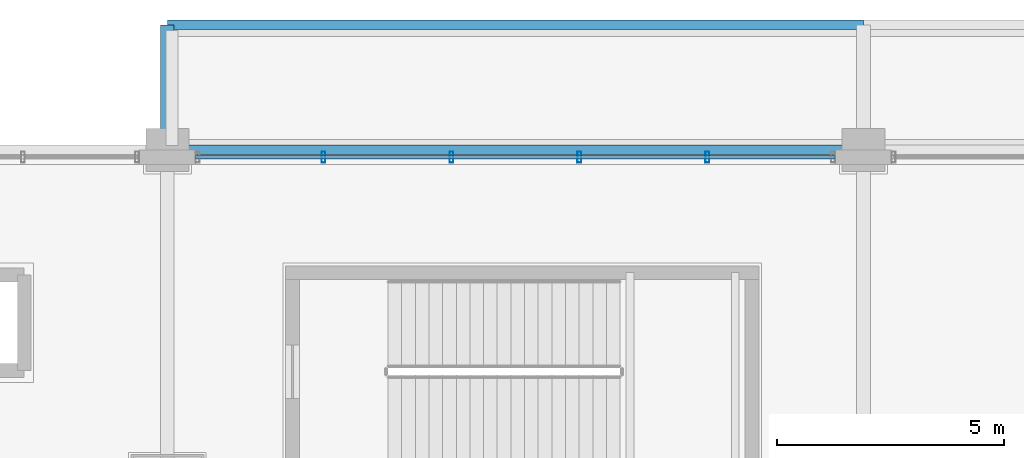
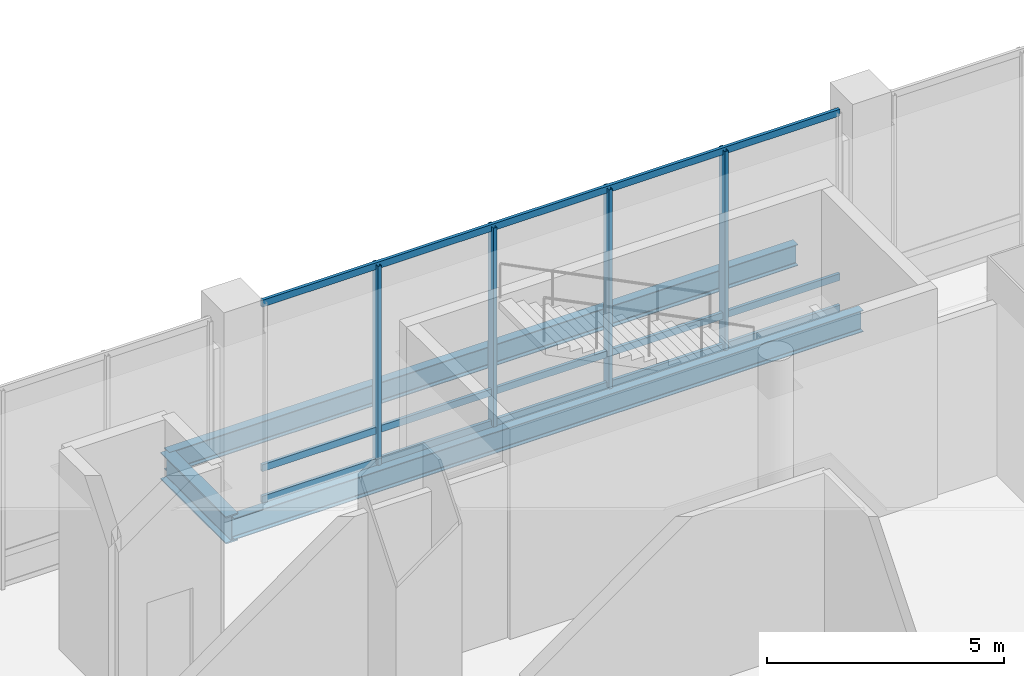
# One storey, part 16 of 43: 7 members, 3 beams, 1 element without a shape of its own.
"""IFC4 building model written with IfcOpenShell, lengths in metres."""

from ifc_helpers import new_model, si_unit, direction, frame, origin, origin_2d, place, context, subcontext, project, spatial, hollow_rectangle, i_section, extrude, material, material_profile, profile_set, type_object, element, aggregate, save


model = new_model("IFC4")

# Units and contexts
model_context = context("Model", 3, precision=1e-05, world=origin(), true_north=direction((0.0, 1.0)))
body_context = subcontext(model_context, "Body", "Model", "MODEL_VIEW")
ifc_project = project(units=[si_unit("LENGTHUNIT", "METRE"), si_unit("AREAUNIT", "SQUARE_METRE"), si_unit("VOLUMEUNIT", "CUBIC_METRE"), si_unit("PLANEANGLEUNIT", "RADIAN"), si_unit("MASSUNIT", "GRAM", prefix="KILO")], contexts=[model_context])

# Site, building, storey
site_placement = place(None, origin())
site = spatial("IfcSite", under=ifc_project, at=site_placement, CompositionType="ELEMENT")
building_placement = place(site_placement, origin())
building = spatial("IfcBuilding", under=site, at=building_placement, Name="Punatoya Terracotta Tower", CompositionType="ELEMENT")
storey_placement = place(building_placement, frame((0.0, 0.0, 6.0)))
storey = spatial("IfcBuildingStorey", under=building, at=storey_placement, Name="L01", CompositionType="ELEMENT", Elevation=6.0)

# Beams
ifc_material_1 = material(Name="Steel S355", Category="steel")
ifc_material_profile_1 = material_profile(ifc_material_1, i_section(OverallWidth=0.300048828125, OverallDepth=0.699951171875, WebThickness=0.01708984375, FlangeThickness=0.031982421875, FilletRadius=0.01806640625, at=origin_2d()))
ifc_profile_set_1 = profile_set([ifc_material_profile_1], Name="Steel S355")
beam_type_1 = type_object("IfcBeamType", Name="BM-PRI-700", PredefinedType="BEAM", material=ifc_profile_set_1)
beam_placement = place(storey_placement, frame((-19.10009765625, 25.0, -0.60009765625), z_axis=(0.0, 1.0, 0.0), x_axis=(-1.0, 0.0, 0.0)))
element("IfcBeam", 1, at=beam_placement, inside=storey, type_object=beam_type_1, Name="BM-L01-CANN--19", PredefinedType="BEAM", context=body_context, shape_type="SweptSolid", body=[
    extrude(i_section(OverallWidth=0.300048828125, OverallDepth=0.699951171875, WebThickness=0.01708984375, FlangeThickness=0.031982421875, FilletRadius=0.01806640625, at=origin_2d()), origin(), (0.0, 0.0, 1.0), 2.75),
])
ifc_material_profile_2 = material_profile(ifc_material_1, i_section(OverallWidth=0.2099609375, OverallDepth=0.550048828125, WebThickness=0.010986328125, FlangeThickness=0.01708984375, FilletRadius=0.01806640625, at=origin_2d()))
ifc_profile_set_2 = profile_set([ifc_material_profile_2], Name="Steel S355")
beam_type_2 = type_object("IfcBeamType", Name="BM-SPN-550", PredefinedType="SPANDREL", material=ifc_profile_set_2)
for number, where, z_axis, x_axis, name in (
    (2, (-19.10009765625, 25.0, -0.554931640625), (1.0, 0.0, 0.0), (0.0, 1.0, 0.0), "BM-L01-MIDH-1"),
    (3, (-19.10009765625, 27.75, -0.52490234375), (1.0, 0.0, 0.0), (0.0, 1.0, 0.0), "BM-L01-CANFN-1"),
):
    element("IfcBeam", number, at=place(storey_placement, frame(where, z_axis=z_axis, x_axis=x_axis)), inside=storey, type_object=beam_type_2, Name=name, PredefinedType="SPANDREL", context=body_context, shape_type="SweptSolid", body=[
        extrude(i_section(OverallWidth=0.2099609375, OverallDepth=0.550048828125, WebThickness=0.010986328125, FlangeThickness=0.01708984375, FilletRadius=0.01806640625, at=origin_2d()), origin(), (0.0, 0.0, 1.0), 15.300048828125),
    ])

# Curtain wall, members
ifc_material_2 = material(Name="Aluminium 6063-T6 + Double Low-E Glass", Category="aluminium")
curtain_wall_type = type_object("IfcCurtainWallType", Name="CW-POD", PredefinedType="NOTDEFINED", material=ifc_material_2)
curtain_wall_placement = place(storey_placement, origin())
curtain_wall = element("IfcCurtainWall", 4, at=curtain_wall_placement, inside=storey, type_object=curtain_wall_type, Name="L01 Curtain Wall CWP-L01-N3", PredefinedType="NOTDEFINED")
ifc_material_3 = material(Name="Aluminium 6063-T6", Category="aluminium")
ifc_material_profile_3 = material_profile(ifc_material_3, hollow_rectangle(XDim=0.0849609375, YDim=0.239990234375, WallThickness=0.0048828125, at=origin_2d()))
ifc_profile_set_3 = profile_set([ifc_material_profile_3], Name="Aluminium 6063-T6")
member_type_1 = type_object("IfcMemberType", Name="CW-MUL-POD", PredefinedType="MULLION", material=ifc_profile_set_3)
member_1_placement = place(storey_placement, frame((-7.23193359375, 24.840087890625, 0.0), z_axis=(0.0, 0.0, 1.0), x_axis=(1.0, 0.0, 0.0)))
member_1 = element("IfcMember", 5, at=member_1_placement, type_object=member_type_1, Name="CWP-L01-N3 Mullion 01", PredefinedType="MULLION", context=body_context, shape_type="SweptSolid", body=[
    extrude(hollow_rectangle(XDim=0.0849609375, YDim=0.239990234375, WallThickness=0.0048828125, at=origin_2d()), origin(), (0.0, 0.0, 1.0), 5.1201171875),
])
member_2_placement = place(storey_placement, frame((-10.0439453125, 24.840087890625, 0.0), z_axis=(0.0, 0.0, 1.0), x_axis=(1.0, 0.0, 0.0)))
member_2 = element("IfcMember", 6, at=member_2_placement, type_object=member_type_1, Name="CWP-L01-N3 Mullion 02", PredefinedType="MULLION", context=body_context, shape_type="SweptSolid", body=[
    extrude(hollow_rectangle(XDim=0.0849609375, YDim=0.239990234375, WallThickness=0.0048828125, at=origin_2d()), origin(), (0.0, 0.0, 1.0), 5.1201171875),
])
member_3_placement = place(storey_placement, frame((-12.85595703125, 24.840087890625, 0.0), z_axis=(0.0, 0.0, 1.0), x_axis=(1.0, 0.0, 0.0)))
member_3 = element("IfcMember", 7, at=member_3_placement, type_object=member_type_1, Name="CWP-L01-N3 Mullion 03", PredefinedType="MULLION", context=body_context, shape_type="SweptSolid", body=[
    extrude(hollow_rectangle(XDim=0.0849609375, YDim=0.239990234375, WallThickness=0.0048828125, at=origin_2d()), origin(), (0.0, 0.0, 1.0), 5.1201171875),
])
member_4_placement = place(storey_placement, frame((-15.66796875, 24.840087890625, 0.0), z_axis=(0.0, 0.0, 1.0), x_axis=(1.0, 0.0, 0.0)))
member_4 = element("IfcMember", 8, at=member_4_placement, type_object=member_type_1, Name="CWP-L01-N3 Mullion 04", PredefinedType="MULLION", context=body_context, shape_type="SweptSolid", body=[
    extrude(hollow_rectangle(XDim=0.0849609375, YDim=0.239990234375, WallThickness=0.0048828125, at=origin_2d()), origin(), (0.0, 0.0, 1.0), 5.1201171875),
])
ifc_material_profile_4 = material_profile(ifc_material_3, hollow_rectangle(XDim=0.074951171875, YDim=0.175048828125, WallThickness=0.00439453125, at=origin_2d()))
ifc_profile_set_4 = profile_set([ifc_material_profile_4], Name="Aluminium 6063-T6")
member_type_2 = type_object("IfcMemberType", Name="CW-TRN-POD", PredefinedType="USERDEFINED", material=ifc_profile_set_4)
member_5_placement = place(storey_placement, frame((-4.419921875, 24.840087890625, 0.0400390625), z_axis=(-1.0, 0.0, 0.0), x_axis=(0.0, -1.0, 0.0)))
member_5 = element("IfcMember", 9, at=member_5_placement, type_object=member_type_2, Name="CWP-L01-N3 Transom 1", ObjectType="TRANSOM", PredefinedType="USERDEFINED", context=body_context, shape_type="SweptSolid", body=[
    extrude(hollow_rectangle(XDim=0.074951171875, YDim=0.175048828125, WallThickness=0.00439453125, at=origin_2d()), origin(), (0.0, 0.0, 1.0), 14.06005859375),
])
member_6_placement = place(storey_placement, frame((-4.419921875, 24.840087890625, 0.85009765625), z_axis=(-1.0, 0.0, 0.0), x_axis=(0.0, -1.0, 0.0)))
member_6 = element("IfcMember", 10, at=member_6_placement, type_object=member_type_2, Name="CWP-L01-N3 Transom 2", ObjectType="TRANSOM", PredefinedType="USERDEFINED", context=body_context, shape_type="SweptSolid", body=[
    extrude(hollow_rectangle(XDim=0.074951171875, YDim=0.175048828125, WallThickness=0.00439453125, at=origin_2d()), origin(), (0.0, 0.0, 1.0), 14.06005859375),
])
member_7_placement = place(storey_placement, frame((-4.419921875, 24.840087890625, 5.080078125), z_axis=(-1.0, 0.0, 0.0), x_axis=(0.0, -1.0, 0.0)))
member_7 = element("IfcMember", 11, at=member_7_placement, type_object=member_type_2, Name="CWP-L01-N3 Transom 3", ObjectType="TRANSOM", PredefinedType="USERDEFINED", context=body_context, shape_type="SweptSolid", body=[
    extrude(hollow_rectangle(XDim=0.074951171875, YDim=0.175048828125, WallThickness=0.00439453125, at=origin_2d()), origin(), (0.0, 0.0, 1.0), 14.06005859375),
])
aggregate(curtain_wall, [member_1, member_2, member_3, member_4, member_5, member_6, member_7])

save(model, "model.ifc")
